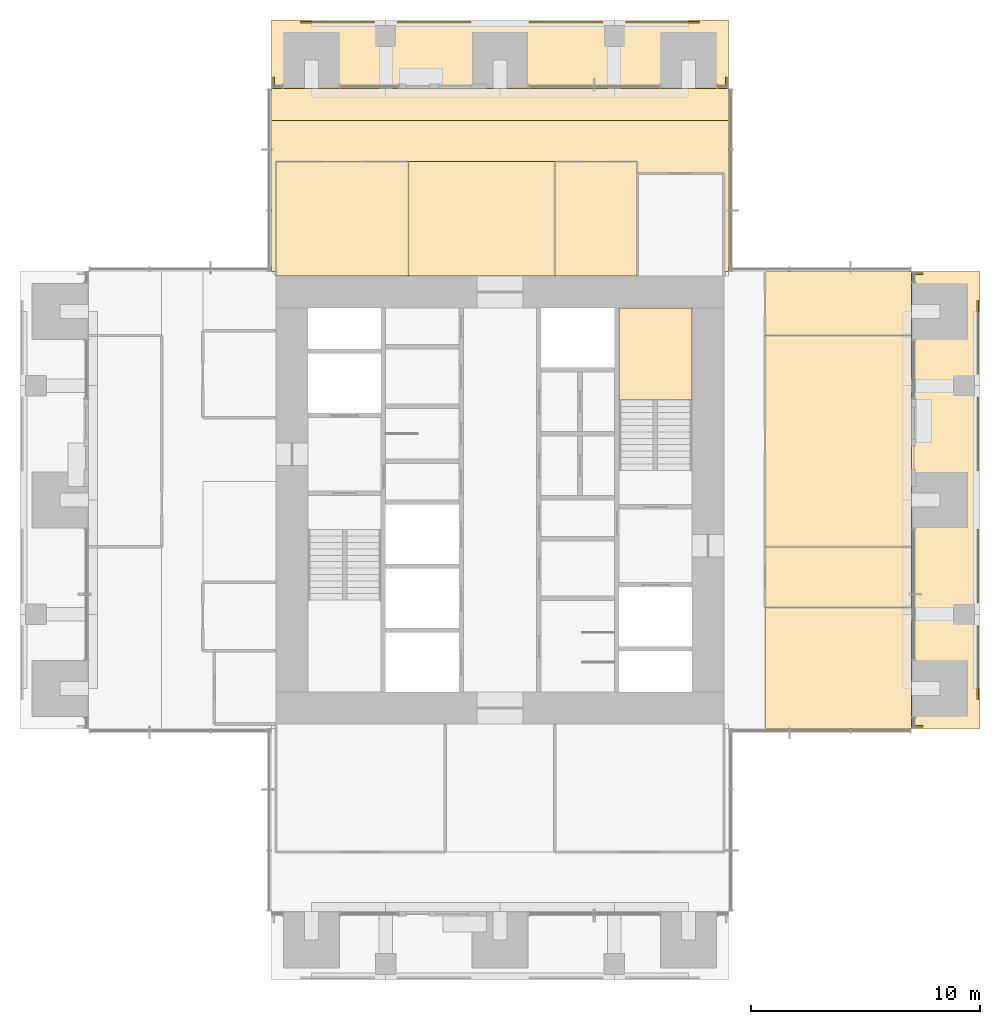
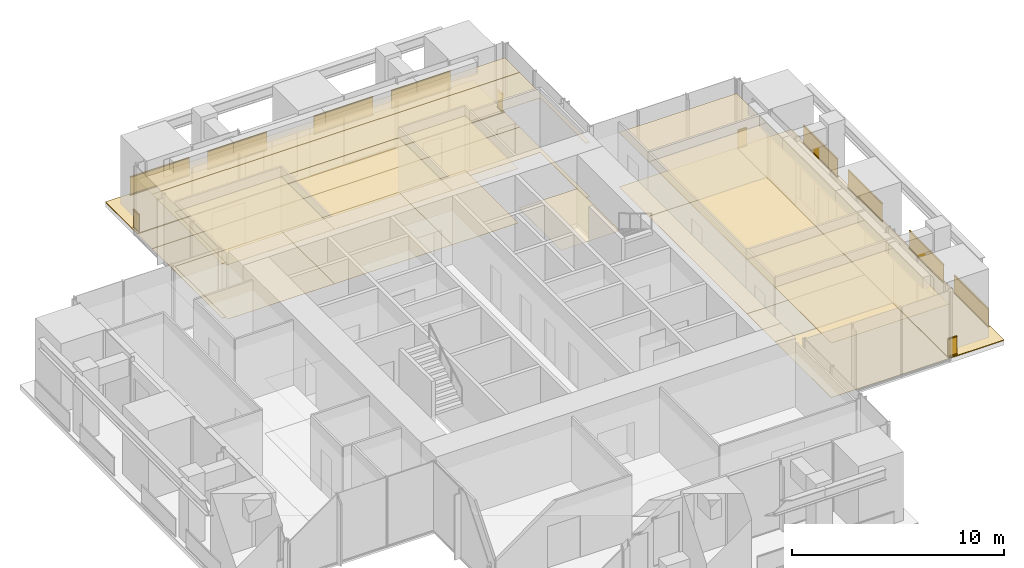
# One storey, part 16 of 17: 21 coverings, 12 railings.
"""IFC4 building model written with IfcOpenShell, lengths in metres."""

from ifc_helpers import new_model, si_unit, direction, frame, origin, origin_2d, place, context, subcontext, project, spatial, polyline, rectangle, outline, extrude, material, layer, layer_set, type_object, element, save


model = new_model("IFC4")

# Units and contexts
model_context = context("Model", 3, precision=1e-05, world=origin(), true_north=direction((0.0, 1.0)))
body_context = subcontext(model_context, "Body", "Model", "MODEL_VIEW")
ifc_project = project(units=[si_unit("LENGTHUNIT", "METRE"), si_unit("AREAUNIT", "SQUARE_METRE"), si_unit("VOLUMEUNIT", "CUBIC_METRE"), si_unit("PLANEANGLEUNIT", "RADIAN"), si_unit("MASSUNIT", "GRAM", prefix="KILO")], contexts=[model_context])

# Site, building, storey
site_placement = place(None, origin())
site = spatial("IfcSite", under=ifc_project, at=site_placement, CompositionType="ELEMENT")
building_placement = place(site_placement, origin())
building = spatial("IfcBuilding", under=site, at=building_placement, Name="Svetlomir Tower", CompositionType="ELEMENT")
storey_placement = place(building_placement, frame((0.0, 0.0, 214.5)))
storey = spatial("IfcBuildingStorey", under=building, at=storey_placement, Name="L51", CompositionType="ELEMENT", Elevation=214.5)

# Railings
ifc_material_1 = material(Name="Bronze anodised aluminium and laminated glass", Category="aluminium")
railing_type = type_object("IfcRailingType", Name="BALCONY GUARD GR1 1100", PredefinedType="GUARDRAIL", material=ifc_material_1)
for number, where, name in (
    (1, (41.89990234375, 12.27490234375, 0.0), "Loggia guard E L51 bay 1"),
    (2, (41.89990234375, 16.5, 0.0), "Loggia guard E L51 bay 2"),
    (3, (41.89990234375, 22.27490234375, 0.0), "Loggia guard E L51 bay 3"),
    (4, (41.89990234375, 26.5, 0.0), "Loggia guard E L51 bay 4"),
):
    element("IfcRailing", number, at=place(storey_placement, frame(where)), inside=storey, type_object=railing_type, Name=name, PredefinedType="GUARDRAIL", context=body_context, shape_type="SweptSolid", body=[
        extrude(rectangle(XDim=0.06005859375, YDim=0.10009765625, at=origin_2d()), frame((0.0, 0.0, 0.050048828125), z_axis=(0.0, 1.0, 0.0), x_axis=(-1.0, 0.0, 0.0)), (0.0, 0.0, 1.0), 3.22509765625),
        extrude(rectangle(XDim=0.021484375, YDim=0.960205078125, at=origin_2d()), frame((0.0, 0.0, 0.580078125), z_axis=(0.0, 1.0, 0.0), x_axis=(-1.0, 0.0, 0.0)), (0.0, 0.0, 1.0), 3.22509765625),
        extrude(rectangle(XDim=0.06005859375, YDim=0.0400390625, at=origin_2d()), frame((0.0, 0.0, 1.080078125), z_axis=(0.0, 1.0, 0.0), x_axis=(-1.0, 0.0, 0.0)), (0.0, 0.0, 1.0), 3.22509765625),
    ])
for number, where, name in (
    (5, (39.5, 11.10009765625, 0.0), "Loggia guard E L51 end 1"),
    (6, (39.5, 30.89990234375, 0.0), "Loggia guard E L51 end 2"),
):
    element("IfcRailing", number, at=place(storey_placement, frame(where)), inside=storey, type_object=railing_type, Name=name, PredefinedType="GUARDRAIL", context=body_context, shape_type="SweptSolid", body=[
        extrude(rectangle(XDim=0.06005859375, YDim=0.10009765625, at=origin_2d()), frame((0.0, 0.0, 0.050048828125), z_axis=(-1.0, 0.0, 0.0), x_axis=(0.0, -1.0, 0.0)), (0.0, 0.0, 1.0), 0.5),
        extrude(rectangle(XDim=0.021484375, YDim=0.960205078125, at=origin_2d()), frame((0.0, 0.0, 0.580078125), z_axis=(-1.0, 0.0, 0.0), x_axis=(0.0, -1.0, 0.0)), (0.0, 0.0, 1.0), 0.5),
        extrude(rectangle(XDim=0.06005859375, YDim=0.0400390625, at=origin_2d()), frame((0.0, 0.0, 1.080078125), z_axis=(-1.0, 0.0, 0.0), x_axis=(0.0, -1.0, 0.0)), (0.0, 0.0, 1.0), 0.5),
    ])
for number, where, name in (
    (7, (12.27490234375, 41.89990234375, 0.0), "Loggia guard N L51 bay 1"),
    (8, (16.5, 41.89990234375, 0.0), "Loggia guard N L51 bay 2"),
    (9, (22.27490234375, 41.89990234375, 0.0), "Loggia guard N L51 bay 3"),
    (10, (26.5, 41.89990234375, 0.0), "Loggia guard N L51 bay 4"),
):
    element("IfcRailing", number, at=place(storey_placement, frame(where)), inside=storey, type_object=railing_type, Name=name, PredefinedType="GUARDRAIL", context=body_context, shape_type="SweptSolid", body=[
        extrude(rectangle(XDim=0.06005859375, YDim=0.10009765625, at=origin_2d()), frame((0.0, 0.0, 0.050048828125), z_axis=(1.0, 0.0, 0.0), x_axis=(0.0, 1.0, 0.0)), (0.0, 0.0, 1.0), 3.22509765625),
        extrude(rectangle(XDim=0.021484375, YDim=0.960205078125, at=origin_2d()), frame((0.0, 0.0, 0.580078125), z_axis=(1.0, 0.0, 0.0), x_axis=(0.0, 1.0, 0.0)), (0.0, 0.0, 1.0), 3.22509765625),
        extrude(rectangle(XDim=0.06005859375, YDim=0.0400390625, at=origin_2d()), frame((0.0, 0.0, 1.080078125), z_axis=(1.0, 0.0, 0.0), x_axis=(0.0, 1.0, 0.0)), (0.0, 0.0, 1.0), 3.22509765625),
    ])
for number, where, name in (
    (11, (11.10009765625, 39.5, 0.0), "Loggia guard N L51 end 1"),
    (12, (30.89990234375, 39.5, 0.0), "Loggia guard N L51 end 2"),
):
    element("IfcRailing", number, at=place(storey_placement, frame(where)), inside=storey, type_object=railing_type, Name=name, PredefinedType="GUARDRAIL", context=body_context, shape_type="SweptSolid", body=[
        extrude(rectangle(XDim=0.06005859375, YDim=0.10009765625, at=origin_2d()), frame((0.0, 0.0, 0.050048828125), z_axis=(0.0, -1.0, 0.0), x_axis=(1.0, 0.0, 0.0)), (0.0, 0.0, 1.0), 0.5),
        extrude(rectangle(XDim=0.021484375, YDim=0.960205078125, at=origin_2d()), frame((0.0, 0.0, 0.580078125), z_axis=(0.0, -1.0, 0.0), x_axis=(1.0, 0.0, 0.0)), (0.0, 0.0, 1.0), 0.5),
        extrude(rectangle(XDim=0.06005859375, YDim=0.0400390625, at=origin_2d()), frame((0.0, 0.0, 1.080078125), z_axis=(0.0, -1.0, 0.0), x_axis=(1.0, 0.0, 0.0)), (0.0, 0.0, 1.0), 0.5),
    ])

# Coverings
ifc_material_2 = material(Name="Granite paving slabs on pedestals", Category="masonry")
ifc_layer_1 = layer(ifc_material_2, 0.0400390625)
ifc_layer_set_1 = layer_set([ifc_layer_1], Name="Granite paving slabs on pedestals")
covering_type_1 = type_object("IfcCoveringType", Name="BALCONY PAVING 40", PredefinedType="USERDEFINED", material=ifc_layer_set_1)
covering_1_placement = place(storey_placement, origin())
element("IfcCovering", 13, at=covering_1_placement, inside=storey, type_object=covering_type_1, Name="Loggia paving E L51", ObjectType="BALCONY PAVING", PredefinedType="USERDEFINED", context=body_context, shape_type="SweptSolid", body=[
    extrude(outline(polyline([(39.0, 11.0), (42.0, 11.0), (42.0, 31.0), (39.0, 31.0), (39.0, 11.0)])), origin(), (0.0, 0.0, 1.0), 0.0400390625),
])
covering_2_placement = place(storey_placement, origin())
element("IfcCovering", 14, at=covering_2_placement, inside=storey, type_object=covering_type_1, Name="Loggia paving N L51", ObjectType="BALCONY PAVING", PredefinedType="USERDEFINED", context=body_context, shape_type="SweptSolid", body=[
    extrude(outline(polyline([(11.0, 39.0), (31.0, 39.0), (31.0, 42.0), (11.0, 42.0), (11.0, 39.0)])), origin(), (0.0, 0.0, 1.0), 0.0400390625),
])
ifc_material_3 = material(Name="Carpet tile", Category="textile")
ifc_layer_2 = layer(ifc_material_3, 0.010009765625)
ifc_layer_set_2 = layer_set([ifc_layer_2], Name="Carpet tile")
covering_type_2 = type_object("IfcCoveringType", Name="CARPET TILE FLOOR 10", PredefinedType="FLOORING", material=ifc_layer_set_2)
covering_3_placement = place(storey_placement, origin())
element("IfcCovering", 15, at=covering_3_placement, inside=storey, type_object=covering_type_2, Name="Floor finish L51-19", PredefinedType="FLOORING", context=body_context, shape_type="SweptSolid", body=[
    extrude(outline(polyline([(32.60009765625, 16.300048828125), (39.0, 16.300048828125), (39.0, 18.949951171875), (32.60009765625, 18.949951171875), (32.60009765625, 16.300048828125)])), origin(), (0.0, 0.0, 1.0), 0.010009765625),
])
covering_4_placement = place(storey_placement, origin())
element("IfcCovering", 16, at=covering_4_placement, inside=storey, type_object=covering_type_2, Name="Floor finish L51-20", PredefinedType="FLOORING", context=body_context, shape_type="SweptSolid", body=[
    extrude(outline(polyline([(32.60009765625, 18.949951171875), (39.0, 18.949951171875), (39.0, 28.199951171875), (32.60009765625, 28.199951171875), (32.60009765625, 18.949951171875)])), origin(), (0.0, 0.0, 1.0), 0.010009765625),
])
covering_5_placement = place(storey_placement, origin())
element("IfcCovering", 17, at=covering_5_placement, inside=storey, type_object=covering_type_2, Name="Floor finish L51-21", PredefinedType="FLOORING", context=body_context, shape_type="SweptSolid", body=[
    extrude(outline(polyline([(32.60009765625, 28.199951171875), (39.0, 28.199951171875), (39.0, 31.0), (32.60009765625, 31.0), (32.60009765625, 28.199951171875)])), origin(), (0.0, 0.0, 1.0), 0.010009765625),
])
covering_6_placement = place(storey_placement, origin())
element("IfcCovering", 18, at=covering_6_placement, inside=storey, type_object=covering_type_2, Name="Floor finish L51-22", PredefinedType="FLOORING", context=body_context, shape_type="SweptSolid", body=[
    extrude(outline(polyline([(11.199951171875, 30.800048828125), (17.0, 30.800048828125), (17.0, 35.800048828125), (11.199951171875, 35.800048828125), (11.199951171875, 30.800048828125)])), origin(), (0.0, 0.0, 1.0), 0.010009765625),
])
covering_7_placement = place(storey_placement, origin())
element("IfcCovering", 19, at=covering_7_placement, inside=storey, type_object=covering_type_2, Name="Floor finish L51-23", PredefinedType="FLOORING", context=body_context, shape_type="SweptSolid", body=[
    extrude(outline(polyline([(23.39990234375, 30.800048828125), (27.0, 30.800048828125), (27.0, 35.800048828125), (23.39990234375, 35.800048828125), (23.39990234375, 30.800048828125)])), origin(), (0.0, 0.0, 1.0), 0.010009765625),
])
covering_8_placement = place(storey_placement, origin())
element("IfcCovering", 20, at=covering_8_placement, inside=storey, type_object=covering_type_2, Name="Floor finish L51-32", PredefinedType="FLOORING", context=body_context, shape_type="SweptSolid", body=[
    extrude(outline(polyline([(30.800048828125, 35.300048828125), (27.0, 35.300048828125), (27.0, 35.800048828125), (11.199951171875, 35.800048828125), (11.199951171875, 31.0), (11.0, 31.0), (11.0, 37.60009765625), (31.0, 37.60009765625), (31.0, 31.0), (30.800048828125, 31.0), (30.800048828125, 35.300048828125)])), origin(), (0.0, 0.0, 1.0), 0.010009765625),
])
covering_9_placement = place(storey_placement, origin())
element("IfcCovering", 21, at=covering_9_placement, inside=storey, type_object=covering_type_2, Name="Floor finish L51-34", PredefinedType="FLOORING", context=body_context, shape_type="SweptSolid", body=[
    extrude(outline(polyline([(32.60009765625, 16.300048828125), (39.0, 16.300048828125), (39.0, 11.0), (32.60009765625, 11.0), (32.60009765625, 16.300048828125)])), origin(), (0.0, 0.0, 1.0), 0.010009765625),
])
covering_10_placement = place(storey_placement, origin())
element("IfcCovering", 22, at=covering_10_placement, inside=storey, type_object=covering_type_2, Name="Floor finish L51-35", PredefinedType="FLOORING", context=body_context, shape_type="SweptSolid", body=[
    extrude(outline(polyline([(17.0, 30.800048828125), (17.0, 35.800048828125), (23.39990234375, 35.800048828125), (23.39990234375, 30.800048828125), (17.0, 30.800048828125)])), origin(), (0.0, 0.0, 1.0), 0.010009765625),
])
covering_11_placement = place(storey_placement, origin())
element("IfcCovering", 23, at=covering_11_placement, inside=storey, type_object=covering_type_2, Name="Floor finish L51-36", PredefinedType="FLOORING", context=body_context, shape_type="SweptSolid", body=[
    extrude(outline(polyline([(31.0, 39.0), (31.0, 37.60009765625), (11.0, 37.60009765625), (11.0, 39.0), (31.0, 39.0)])), origin(), (0.0, 0.0, 1.0), 0.010009765625),
])
ifc_material_4 = material(Name="Studded rubber floor finish", Category="rubber")
ifc_layer_3 = layer(ifc_material_4, 0.006103515625)
ifc_layer_set_3 = layer_set([ifc_layer_3], Name="Studded rubber floor finish")
covering_type_3 = type_object("IfcCoveringType", Name="RUBBER LANDING FINISH 6", PredefinedType="FLOORING", material=ifc_layer_set_3)
covering_12_placement = place(storey_placement, frame((0.0, 0.0, 2.0)))
element("IfcCovering", 24, at=covering_12_placement, inside=storey, type_object=covering_type_3, Name="Stair S2 landing finish L51", PredefinedType="FLOORING", context=body_context, shape_type="SweptSolid", body=[
    extrude(outline(polyline([(26.199951171875, 25.3798828125), (29.39990234375, 25.3798828125), (29.39990234375, 29.39990234375), (26.199951171875, 29.39990234375), (26.199951171875, 25.3798828125)])), origin(), (0.0, 0.0, 1.0), 0.006103515625),
])
ifc_material_5 = material(Name="Mineral fibre ceiling tile", Category="mineral")
ifc_layer_4 = layer(ifc_material_5, 0.02001953125)
ifc_layer_set_4 = layer_set([ifc_layer_4], Name="Mineral fibre ceiling tile")
covering_type_4 = type_object("IfcCoveringType", Name="SUSPENDED CEILING 20", PredefinedType="CEILING", material=ifc_layer_set_4)
covering_13_placement = place(storey_placement, frame((0.0, 0.0, 3.1298828125)))
element("IfcCovering", 25, at=covering_13_placement, inside=storey, type_object=covering_type_4, Name="Ceiling L51-19", PredefinedType="CEILING", context=body_context, shape_type="SweptSolid", body=[
    extrude(outline(polyline([(32.60009765625, 16.300048828125), (39.0, 16.300048828125), (39.0, 18.949951171875), (32.60009765625, 18.949951171875), (32.60009765625, 16.300048828125)])), origin(), (0.0, 0.0, 1.0), 0.02001953125),
])
covering_14_placement = place(storey_placement, frame((0.0, 0.0, 3.1298828125)))
element("IfcCovering", 26, at=covering_14_placement, inside=storey, type_object=covering_type_4, Name="Ceiling L51-20", PredefinedType="CEILING", context=body_context, shape_type="SweptSolid", body=[
    extrude(outline(polyline([(32.60009765625, 18.949951171875), (39.0, 18.949951171875), (39.0, 28.199951171875), (32.60009765625, 28.199951171875), (32.60009765625, 18.949951171875)])), origin(), (0.0, 0.0, 1.0), 0.02001953125),
])
covering_15_placement = place(storey_placement, frame((0.0, 0.0, 3.1298828125)))
element("IfcCovering", 27, at=covering_15_placement, inside=storey, type_object=covering_type_4, Name="Ceiling L51-21", PredefinedType="CEILING", context=body_context, shape_type="SweptSolid", body=[
    extrude(outline(polyline([(32.60009765625, 28.199951171875), (39.0, 28.199951171875), (39.0, 31.0), (32.60009765625, 31.0), (32.60009765625, 28.199951171875)])), origin(), (0.0, 0.0, 1.0), 0.02001953125),
])
covering_16_placement = place(storey_placement, frame((0.0, 0.0, 3.1298828125)))
element("IfcCovering", 28, at=covering_16_placement, inside=storey, type_object=covering_type_4, Name="Ceiling L51-22", PredefinedType="CEILING", context=body_context, shape_type="SweptSolid", body=[
    extrude(outline(polyline([(11.199951171875, 30.800048828125), (17.0, 30.800048828125), (17.0, 35.800048828125), (11.199951171875, 35.800048828125), (11.199951171875, 30.800048828125)])), origin(), (0.0, 0.0, 1.0), 0.02001953125),
])
covering_17_placement = place(storey_placement, frame((0.0, 0.0, 3.1298828125)))
element("IfcCovering", 29, at=covering_17_placement, inside=storey, type_object=covering_type_4, Name="Ceiling L51-23", PredefinedType="CEILING", context=body_context, shape_type="SweptSolid", body=[
    extrude(outline(polyline([(23.39990234375, 30.800048828125), (27.0, 30.800048828125), (27.0, 35.800048828125), (23.39990234375, 35.800048828125), (23.39990234375, 30.800048828125)])), origin(), (0.0, 0.0, 1.0), 0.02001953125),
])
covering_18_placement = place(storey_placement, frame((0.0, 0.0, 3.1298828125)))
element("IfcCovering", 30, at=covering_18_placement, inside=storey, type_object=covering_type_4, Name="Ceiling L51-32", PredefinedType="CEILING", context=body_context, shape_type="SweptSolid", body=[
    extrude(outline(polyline([(30.800048828125, 35.300048828125), (27.0, 35.300048828125), (27.0, 35.800048828125), (11.199951171875, 35.800048828125), (11.199951171875, 31.0), (11.0, 31.0), (11.0, 37.60009765625), (31.0, 37.60009765625), (31.0, 31.0), (30.800048828125, 31.0), (30.800048828125, 35.300048828125)])), origin(), (0.0, 0.0, 1.0), 0.02001953125),
])
covering_19_placement = place(storey_placement, frame((0.0, 0.0, 3.1298828125)))
element("IfcCovering", 31, at=covering_19_placement, inside=storey, type_object=covering_type_4, Name="Ceiling L51-34", PredefinedType="CEILING", context=body_context, shape_type="SweptSolid", body=[
    extrude(outline(polyline([(32.60009765625, 16.300048828125), (39.0, 16.300048828125), (39.0, 11.0), (32.60009765625, 11.0), (32.60009765625, 16.300048828125)])), origin(), (0.0, 0.0, 1.0), 0.02001953125),
])
covering_20_placement = place(storey_placement, frame((0.0, 0.0, 3.1298828125)))
element("IfcCovering", 32, at=covering_20_placement, inside=storey, type_object=covering_type_4, Name="Ceiling L51-35", PredefinedType="CEILING", context=body_context, shape_type="SweptSolid", body=[
    extrude(outline(polyline([(17.0, 30.800048828125), (17.0, 35.800048828125), (23.39990234375, 35.800048828125), (23.39990234375, 30.800048828125), (17.0, 30.800048828125)])), origin(), (0.0, 0.0, 1.0), 0.02001953125),
])
covering_21_placement = place(storey_placement, frame((0.0, 0.0, 3.1298828125)))
element("IfcCovering", 33, at=covering_21_placement, inside=storey, type_object=covering_type_4, Name="Ceiling L51-36", PredefinedType="CEILING", context=body_context, shape_type="SweptSolid", body=[
    extrude(outline(polyline([(31.0, 39.0), (31.0, 37.60009765625), (11.0, 37.60009765625), (11.0, 39.0), (31.0, 39.0)])), origin(), (0.0, 0.0, 1.0), 0.02001953125),
])

save(model, "model.ifc")
